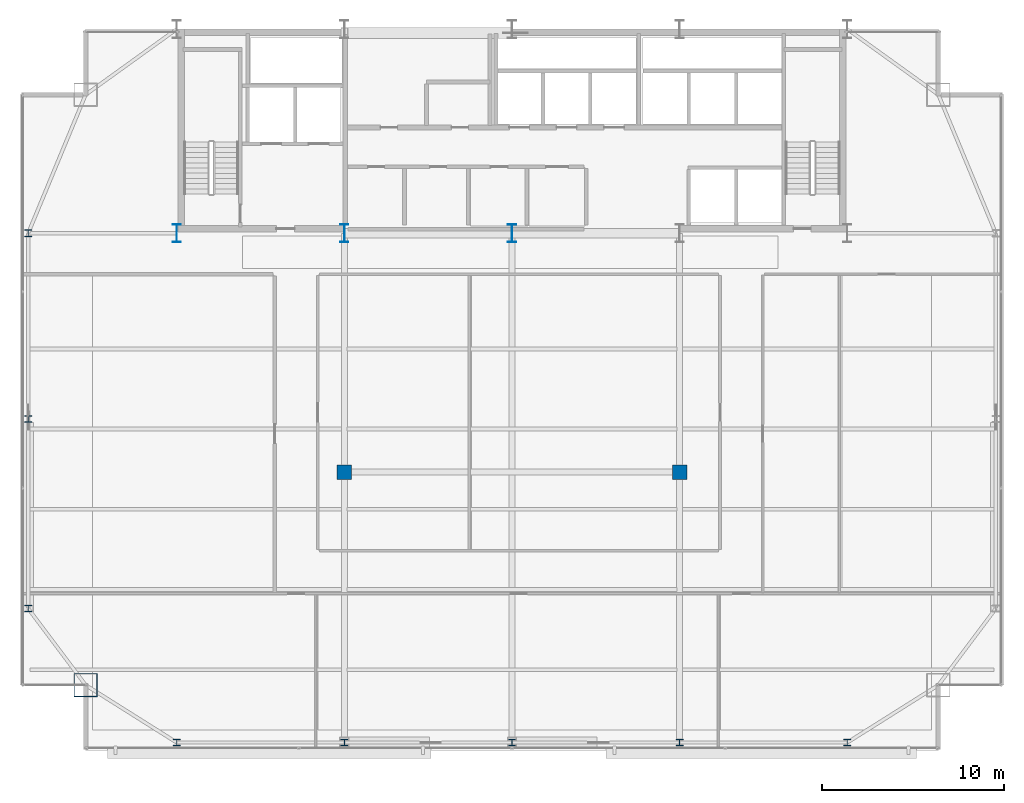
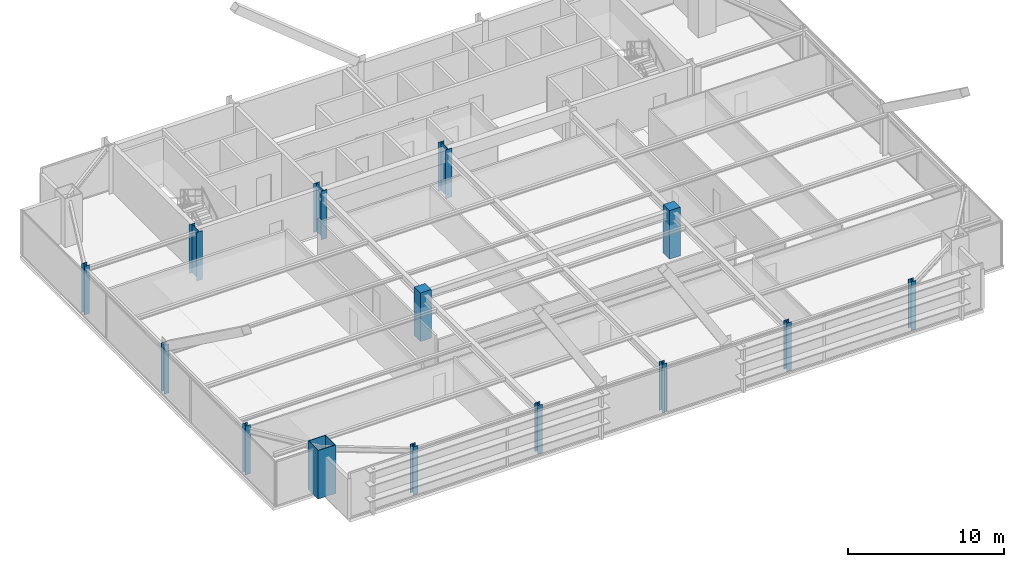
# One storey, part 1 of 30: 14 columns.
"""IFC4 building model written with IfcOpenShell, lengths in metres."""

from ifc_helpers import new_model, si_unit, direction, frame, origin, origin_2d, place, context, subcontext, project, spatial, rectangle, hollow_rectangle, i_section, extrude, source, transform, mapped, material, material_profile, profile_set, type_object, type_shapes, element, save


model = new_model("IFC4")

# Units and contexts
model_context = context("Model", 3, precision=1e-05, world=origin(), true_north=direction((0.0, 1.0)))
body_context = subcontext(model_context, "Body", "Model", "MODEL_VIEW")
ifc_project = project(units=[si_unit("LENGTHUNIT", "METRE"), si_unit("AREAUNIT", "SQUARE_METRE"), si_unit("VOLUMEUNIT", "CUBIC_METRE"), si_unit("PLANEANGLEUNIT", "RADIAN"), si_unit("MASSUNIT", "GRAM", prefix="KILO")], contexts=[model_context])

# Site, building, storey
site_placement = place(None, origin())
site = spatial("IfcSite", under=ifc_project, at=site_placement, CompositionType="ELEMENT")
building_placement = place(site_placement, origin())
building = spatial("IfcBuilding", under=site, at=building_placement, Name="Varnel Quay Broadcast Tower", CompositionType="ELEMENT")
storey_placement = place(building_placement, frame((0.0, 0.0, 149.60009765625)))
storey = spatial("IfcBuildingStorey", under=building, at=storey_placement, Name="L36", CompositionType="ELEMENT", Elevation=149.60009765625)

# Columns
ifc_material_1 = material(Name="Structural Steel CSA G40.21 350WT", Category="steel")
ifc_material_profile_1 = material_profile(ifc_material_1, i_section(OverallWidth=0.449951171875, OverallDepth=1.0, WebThickness=0.01611328125, FlangeThickness=0.030029296875, FilletRadius=0.01611328125, at=origin_2d()), Name="WWF1000X362")
ifc_profile_set_1 = profile_set([ifc_material_profile_1], Name="Structural Steel CSA G40.21 350WT")
column_type_1 = type_object("IfcColumnType", Name="Col_WWF1000X362", PredefinedType="COLUMN", material=ifc_profile_set_1)
shared_shape_1 = source(origin(), body_context, "Body", "SweptSolid", [
    extrude(i_section(OverallWidth=0.449951171875, OverallDepth=1.0, WebThickness=0.01611328125, FlangeThickness=0.030029296875, FilletRadius=0.01611328125, at=origin_2d()), origin(), (0.0, 0.0, 1.0), 3.7998046875),
])
type_shapes(column_type_1, [shared_shape_1])
for number, where, z_axis, x_axis, name in (
    (1, (15.60009765625, 35.60009765625, 0.0), (0.0, 0.0, 1.0), (1.0, 0.0, 0.0), "L36 Column CC-S1"),
    (2, (24.800048828125, 35.60009765625, 0.0), (0.0, 0.0, 1.0), (1.0, 0.0, 0.0), "L36 Column CC-S2"),
    (3, (34.0, 35.60009765625, 0.0), (0.0, 0.0, 1.0), (1.0, 0.0, 0.0), "L36 Column CC-S3"),
):
    element("IfcColumn", number, at=place(storey_placement, frame(where, z_axis=z_axis, x_axis=x_axis)), inside=storey, type_object=column_type_1, Name=name, PredefinedType="COLUMN", context=body_context, shape_type="MappedRepresentation", body=[
        mapped(shared_shape_1, transform((0.0, 0.0, 0.0), x_axis=(1.0, 0.0, 0.0), y_axis=(0.0, 1.0, 0.0), z_axis=(0.0, 0.0, 1.0), scale=1.0)),
    ])
ifc_material_profile_2 = material_profile(ifc_material_1, hollow_rectangle(XDim=1.300048828125, YDim=1.300048828125, WallThickness=0.050048828125, at=origin_2d()), Name="BOX1300X1300X50")
ifc_profile_set_2 = profile_set([ifc_material_profile_2], Name="Structural Steel CSA G40.21 350WT")
column_type_2 = type_object("IfcColumnType", Name="Col_BOX1300X1300X50", PredefinedType="COLUMN", material=ifc_profile_set_2)
shared_shape_2 = source(origin(), body_context, "Body", "SweptSolid", [
    extrude(hollow_rectangle(XDim=1.300048828125, YDim=1.300048828125, WallThickness=0.050048828125, at=origin_2d()), origin(), (0.0, 0.0, 1.0), 3.7998046875),
])
type_shapes(column_type_2, [shared_shape_2])
column_placement = place(storey_placement, frame((10.60009765625, 10.800048828125, 0.0), z_axis=(0.0, 0.0, 1.0), x_axis=(1.0, 0.0, 0.0)))
element("IfcColumn", 4, at=column_placement, inside=storey, type_object=column_type_2, Name="L36 Column MC-SW", PredefinedType="COLUMN", context=body_context, shape_type="MappedRepresentation", body=[
    mapped(shared_shape_2, transform((0.0, 0.0, 0.0), x_axis=(1.0, 0.0, 0.0), y_axis=(0.0, 1.0, 0.0), z_axis=(0.0, 0.0, 1.0), scale=1.0)),
])
ifc_material_2 = material(Name="Structural Steel CSA G40.21 350W", Category="steel")
ifc_material_profile_3 = material_profile(ifc_material_2, i_section(OverallWidth=0.3740234375, OverallDepth=0.3720703125, WebThickness=0.016357421875, FlangeThickness=0.026123046875, FilletRadius=0.01611328125, at=origin_2d()), Name="W360X196")
ifc_profile_set_3 = profile_set([ifc_material_profile_3], Name="Structural Steel CSA G40.21 350W")
column_type_3 = type_object("IfcColumnType", Name="Col_W360X196", PredefinedType="COLUMN", material=ifc_profile_set_3)
shared_shape_3 = source(origin(), body_context, "Body", "SweptSolid", [
    extrude(i_section(OverallWidth=0.3740234375, OverallDepth=0.3720703125, WebThickness=0.016357421875, FlangeThickness=0.026123046875, FilletRadius=0.01611328125, at=origin_2d()), origin(), (0.0, 0.0, 1.0), 3.7998046875),
])
type_shapes(column_type_3, [shared_shape_3])
for number, where, z_axis, x_axis, name in (
    (5, (15.60009765625, 7.64990234375, 0.0), (0.0, 0.0, 1.0), (1.0, 0.0, 0.0), "L36 Column TC-S1"),
    (6, (24.800048828125, 7.64990234375, 0.0), (0.0, 0.0, 1.0), (1.0, 0.0, 0.0), "L36 Column TC-S2"),
    (7, (34.0, 7.64990234375, 0.0), (0.0, 0.0, 1.0), (1.0, 0.0, 0.0), "L36 Column TC-S3"),
    (8, (43.199951171875, 7.64990234375, 0.0), (0.0, 0.0, 1.0), (1.0, 0.0, 0.0), "L36 Column TC-S4"),
    (9, (52.39990234375, 7.64990234375, 0.0), (0.0, 0.0, 1.0), (1.0, 0.0, 0.0), "L36 Column TC-S5"),
    (10, (7.449951171875, 15.0, 0.0), (0.0, 0.0, 1.0), (1.0, 0.0, 0.0), "L36 Column TC-W1"),
    (11, (7.449951171875, 25.39990234375, 0.0), (0.0, 0.0, 1.0), (1.0, 0.0, 0.0), "L36 Column TC-W2"),
    (12, (7.449951171875, 35.60009765625, 0.0), (0.0, 0.0, 1.0), (1.0, 0.0, 0.0), "L36 Column TC-W3"),
):
    element("IfcColumn", number, at=place(storey_placement, frame(where, z_axis=z_axis, x_axis=x_axis)), inside=storey, type_object=column_type_3, Name=name, PredefinedType="COLUMN", context=body_context, shape_type="MappedRepresentation", body=[
        mapped(shared_shape_3, transform((0.0, 0.0, 0.0), x_axis=(1.0, 0.0, 0.0), y_axis=(0.0, 1.0, 0.0), z_axis=(0.0, 0.0, 1.0), scale=1.0)),
    ])
ifc_material_3 = material(Name="Concrete CSA A23.3 C50/60", Category="concrete")
ifc_material_profile_4 = material_profile(ifc_material_3, rectangle(XDim=0.800048828125, YDim=0.800048828125, at=origin_2d()), Name="RC800X800")
ifc_profile_set_4 = profile_set([ifc_material_profile_4], Name="Concrete CSA A23.3 C50/60")
column_type_4 = type_object("IfcColumnType", Name="Col_RC800X800", PredefinedType="COLUMN", material=ifc_profile_set_4)
shared_shape_4 = source(origin(), body_context, "Body", "SweptSolid", [
    extrude(rectangle(XDim=0.800048828125, YDim=0.800048828125, at=origin_2d()), origin(), (0.0, 0.0, 1.0), 3.7998046875),
])
type_shapes(column_type_4, [shared_shape_4])
for number, where, z_axis, x_axis, name in (
    (13, (24.800048828125, 22.489990234375, 0.0), (0.0, 0.0, 1.0), (1.0, 0.0, 0.0), "L36 Column IC-01"),
    (14, (43.199951171875, 22.489990234375, 0.0), (0.0, 0.0, 1.0), (1.0, 0.0, 0.0), "L36 Column IC-02"),
):
    element("IfcColumn", number, at=place(storey_placement, frame(where, z_axis=z_axis, x_axis=x_axis)), inside=storey, type_object=column_type_4, Name=name, PredefinedType="COLUMN", context=body_context, shape_type="MappedRepresentation", body=[
        mapped(shared_shape_4, transform((0.0, 0.0, 0.0), x_axis=(1.0, 0.0, 0.0), y_axis=(0.0, 1.0, 0.0), z_axis=(0.0, 0.0, 1.0), scale=1.0)),
    ])

save(model, "model.ifc")
